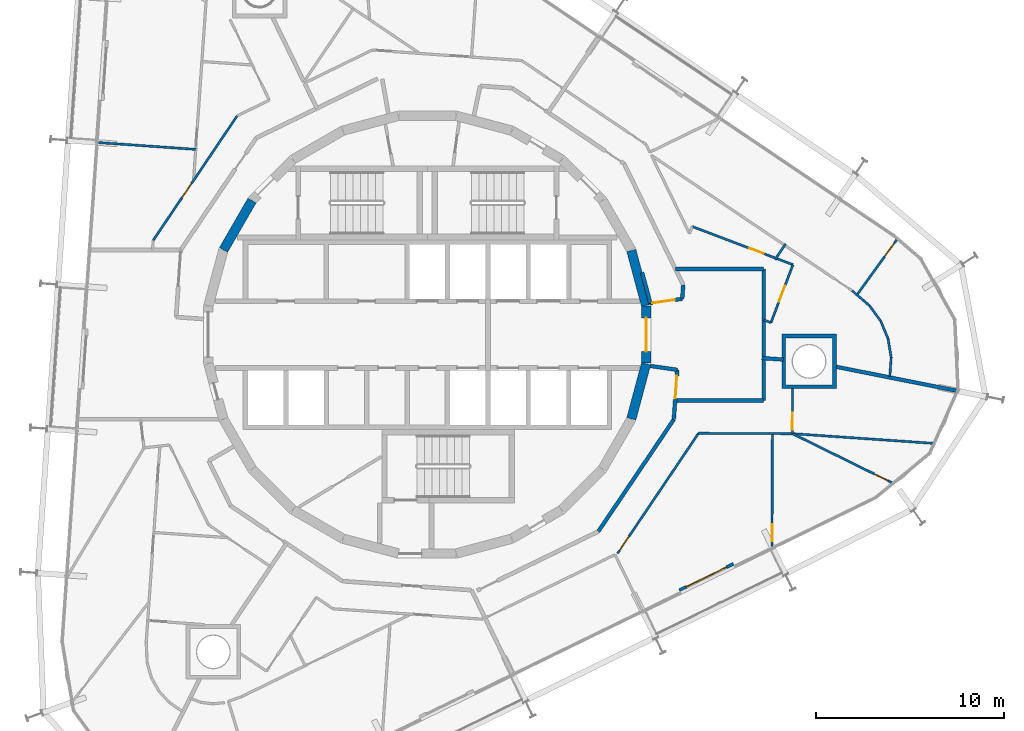
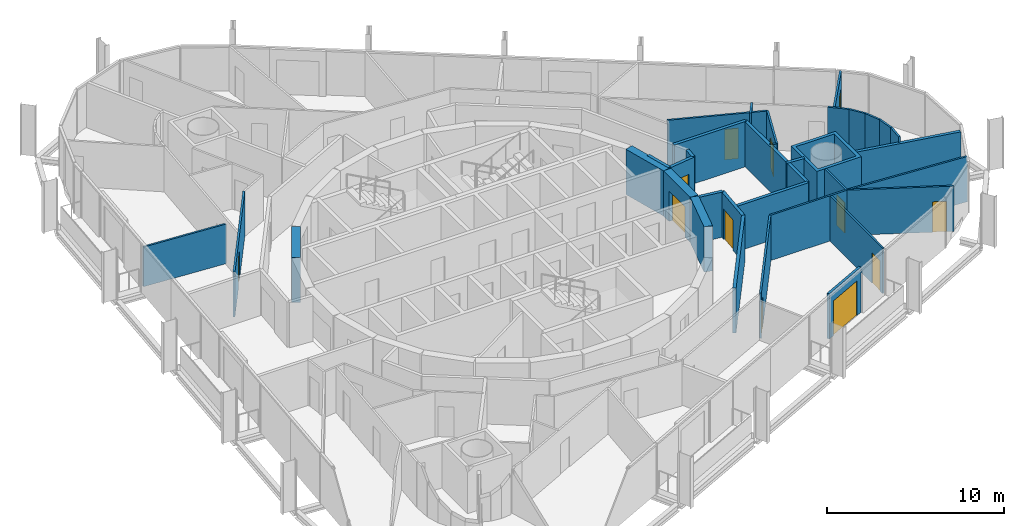
# One storey, part 14 of 18: 35 walls, 12 doors, 12 openings.
"""IFC4 building model written with IfcOpenShell, lengths in metres."""

from ifc_helpers import new_model, si_unit, direction, frame, frame_2d, origin, place, context, subcontext, project, spatial, polyline, rectangle, outline, extrude, material, layer, layer_set, type_object, element, fill, save


model = new_model("IFC4")

# Units and contexts
model_context = context("Model", 3, precision=1e-05, world=origin(), true_north=direction((0.0, 1.0)))
body_context = subcontext(model_context, "Body", "Model", "MODEL_VIEW")
ifc_project = project(units=[si_unit("LENGTHUNIT", "METRE"), si_unit("AREAUNIT", "SQUARE_METRE"), si_unit("VOLUMEUNIT", "CUBIC_METRE"), si_unit("PLANEANGLEUNIT", "RADIAN"), si_unit("MASSUNIT", "GRAM", prefix="KILO")], contexts=[model_context])

# Site, building, storey
site_placement = place(None, origin())
site = spatial("IfcSite", under=ifc_project, at=site_placement, CompositionType="ELEMENT")
building_placement = place(site_placement, origin())
building = spatial("IfcBuilding", under=site, at=building_placement, Name="Spindle Arch Residences", CompositionType="ELEMENT")
storey_placement = place(building_placement, frame((0.0, 0.0, 195.39990234375)))
storey = spatial("IfcBuildingStorey", under=building, at=storey_placement, Name="L49", CompositionType="ELEMENT", Elevation=195.39990234375)

# Wall
ifc_material_1 = material(Name="Concrete C50/60", Category="concrete")
ifc_layer_1 = layer(ifc_material_1, 0.5)
ifc_layer_set_1 = layer_set([ifc_layer_1], Name="Core outline wall 500")
wall_type_1 = type_object("IfcWallType", Name="Core outline wall 500", PredefinedType="SHEAR", material=ifc_layer_set_1)
wall_1_placement = place(storey_placement, frame((10.858154296875, -4.479248046875, 0.0), z_axis=(0.0, 0.0, 1.0), x_axis=(0.258734743916, 0.965948410781, 0.0)))
element("IfcWall", 1, at=wall_1_placement, inside=storey, type_object=wall_type_1, Name="Core outline wall 5", PredefinedType="SHEAR", context=body_context, shape_type="SweptSolid", body=[
    extrude(rectangle(XDim=3.03271484375, YDim=0.5, at=frame_2d((1.516357421875, 0.0))), origin(), (0.0, 0.0, 1.0), 3.1201171875),
])

# Wall, opening, door
wall_2_placement = place(storey_placement, frame((11.647216796875, -1.516357421875, 0.0), z_axis=(0.0, 0.0, 1.0), x_axis=(0.0, 1.0, 0.0)))
wall_2 = element("IfcWall", 2, at=wall_2_placement, inside=storey, type_object=wall_type_1, Name="Core outline wall 6", PredefinedType="SHEAR", context=body_context, shape_type="SweptSolid", body=[
    extrude(rectangle(XDim=3.03271484375, YDim=0.5, at=frame_2d((1.516357421875, 0.0))), origin(), (0.0, 0.0, 1.0), 3.1201171875),
])
opening_1_placement = place(wall_2_placement, frame((0.6162109375, 0.0, 0.0)))
opening_1 = element("IfcOpeningElement", 3, at=opening_1_placement, cuts=wall_2, Name="Opening R5A0-FE01", PredefinedType="OPENING", context=body_context, shape_type="SweptSolid", body=[
    extrude(rectangle(XDim=1.800048828125, YDim=2.10009765625, at=frame_2d((0.89990234375, 1.050048828125))), frame((0.0, 0.260009765625, 0.0), z_axis=(0.0, -1.0, 0.0), x_axis=(1.0, 0.0, 0.0)), (0.0, 0.0, 1.0), 0.52001953125),
])
ifc_material_2 = material(Name="Steel, fire-resisting door", Category="steel")
door_type_1 = type_object("IfcDoorType", Name="Fire-lift lobby door 1800x2100", OperationType="DOUBLE_DOOR_SINGLE_SWING", PredefinedType="DOOR", material=ifc_material_2)
door_1_placement = place(opening_1_placement, origin())
door_1 = element("IfcDoor", 4, at=door_1_placement, inside=storey, type_object=door_type_1, Name="Fire-lift lobby door R5A0-FE01", OperationType="DOUBLE_DOOR_SINGLE_SWING", OverallHeight=2.10009765625, OverallWidth=1.800048828125, PredefinedType="DOOR", context=body_context, shape_type="SweptSolid", body=[
    extrude(rectangle(XDim=1.800048828125, YDim=2.10009765625, at=frame_2d((0.89990234375, 1.050048828125))), frame((0.0, 0.02490234375, 0.0), z_axis=(0.0, -1.0, 0.0), x_axis=(1.0, 0.0, 0.0)), (0.0, 0.0, 1.0), 0.050048828125),
])
fill(opening_1, door_1)

# Walls
for number, where, z_axis, x_axis, name in (
    (5, (11.642822265625, 1.5498046875, 0.0), (0.0, 0.0, 1.0), (-0.258734743916, 0.965948410781, 0.0), "Core outline wall 7"),
    (6, (-9.32861328125, 7.13671875, 0.0), (0.0, 0.0, 1.0), (-0.500087131594, -0.865975092491, 0.0), "Core outline wall 16"),
):
    element("IfcWall", number, at=place(storey_placement, frame(where, z_axis=z_axis, x_axis=x_axis)), inside=storey, type_object=wall_type_1, Name=name, PredefinedType="SHEAR", context=body_context, shape_type="SweptSolid", body=[
        extrude(rectangle(XDim=3.03271484375, YDim=0.5, at=frame_2d((1.516357421875, 0.0))), origin(), (0.0, 0.0, 1.0), 3.1201171875),
    ])
ifc_material_3 = material(Name="Calcium silicate block, plastered")
ifc_layer_2 = layer(ifc_material_3, 0.199951171875)
ifc_layer_set_2 = layer_set([ifc_layer_2], Name="Corridor wall 200")
wall_type_2 = type_object("IfcWallType", Name="Corridor wall 200", PredefinedType="STANDARD", material=ifc_layer_set_2)
wall_3_placement = place(storey_placement, frame((9.101318359375, -10.469970703125, 0.0), z_axis=(0.0, 0.0, 1.0), x_axis=(0.559195469534, 0.829035841718, 0.0)))
element("IfcWall", 7, at=wall_3_placement, inside=storey, type_object=wall_type_2, Name="Corridor wall R5A0-W020", PredefinedType="STANDARD", context=body_context, shape_type="SweptSolid", body=[
    extrude(rectangle(XDim=7.18115234375, YDim=0.199951171875, at=frame_2d((3.590576171875, 0.0))), origin(), (0.0, 0.0, 1.0), 3.1201171875),
])
ifc_material_4 = material(Name="Calcium silicate block, plastered")
ifc_layer_3 = layer(ifc_material_4, 0.199951171875)
ifc_layer_set_3 = layer_set([ifc_layer_3], Name="Fire-lift lobby bay wall 200")
wall_type_3 = type_object("IfcWallType", Name="Fire-lift lobby bay wall 200", PredefinedType="STANDARD", material=ifc_layer_set_3)
wall_4_placement = place(storey_placement, frame((11.8701171875, 1.668212890625, 0.0), z_axis=(0.0, 0.0, 1.0), x_axis=(-0.258836880648, 0.965921047093, 0.0)))
element("IfcWall", 8, at=wall_4_placement, inside=storey, type_object=wall_type_3, Name="Fire-lift lobby bay wall R5A0-W001", PredefinedType="STANDARD", context=body_context, shape_type="SweptSolid", body=[
    extrude(rectangle(XDim=1.695068359375, YDim=0.199951171875, at=frame_2d((0.84765625, 0.0))), origin(), (0.0, 0.0, 1.0), 3.1201171875),
])

# Wall, opening, door
wall_5_placement = place(storey_placement, frame((11.8701171875, 1.668212890625, 0.0), z_axis=(0.0, 0.0, 1.0), x_axis=(0.990271931984, 0.139145609792, 0.0)))
wall_5 = element("IfcWall", 9, at=wall_5_placement, inside=storey, type_object=wall_type_3, Name="Fire-lift lobby bay wall R5A0-W002", PredefinedType="STANDARD", context=body_context, shape_type="SweptSolid", body=[
    extrude(rectangle(XDim=1.71240234375, YDim=0.199951171875, at=frame_2d((0.856201171875, 0.0))), origin(), (0.0, 0.0, 1.0), 3.1201171875),
])
opening_2_placement = place(wall_5_placement, frame((0.110107421875, 0.0, 0.0)))
opening_2 = element("IfcOpeningElement", 10, at=opening_2_placement, cuts=wall_5, Name="Opening R5A0-CD01", PredefinedType="OPENING", context=body_context, shape_type="SweptSolid", body=[
    extrude(rectangle(XDim=1.199951171875, YDim=2.10009765625, at=frame_2d((0.60009765625, 1.050048828125))), frame((0.0, 0.10986328125, 0.0), z_axis=(0.0, -1.0, 0.0), x_axis=(1.0, 0.0, 0.0)), (0.0, 0.0, 1.0), 0.219970703125),
])
ifc_material_5 = material(Name="Steel, fire-resisting door", Category="steel")
door_type_2 = type_object("IfcDoorType", Name="Corridor division door 1200x2100", OperationType="NOTDEFINED", PredefinedType="DOOR", material=ifc_material_5)
door_2_placement = place(opening_2_placement, origin())
door_2 = element("IfcDoor", 11, at=door_2_placement, inside=storey, type_object=door_type_2, Name="Corridor division door R5A0-CD01", OperationType="DOUBLE_DOOR_SINGLE_SWING", OverallHeight=2.10009765625, OverallWidth=1.199951171875, PredefinedType="DOOR", context=body_context, shape_type="SweptSolid", body=[
    extrude(rectangle(XDim=1.199951171875, YDim=2.10009765625, at=frame_2d((0.60009765625, 1.050048828125))), frame((0.0, 0.02490234375, 0.0), z_axis=(0.0, -1.0, 0.0), x_axis=(1.0, 0.0, 0.0)), (0.0, 0.0, 1.0), 0.050048828125),
])
fill(opening_2, door_2)

# Wall
wall_6_placement = place(storey_placement, frame((13.56591796875, 1.906494140625, 0.0), z_axis=(0.0, 0.0, 1.0), x_axis=(0.07005495793, 0.997543133338, 0.0)))
element("IfcWall", 12, at=wall_6_placement, inside=storey, type_object=wall_type_3, Name="Fire-lift lobby bay wall R5A0-W003", PredefinedType="STANDARD", context=body_context, shape_type="SweptSolid", body=[
    extrude(rectangle(XDim=0.7421875, YDim=0.199951171875, at=frame_2d((0.37109375, 0.0))), origin(), (0.0, 0.0, 1.0), 3.1201171875),
])

# Wall, opening, door
wall_7_placement = place(storey_placement, frame((13.116943359375, -4.5166015625, 0.0), z_axis=(0.0, 0.0, 1.0), x_axis=(0.069736659613, 0.997565435601, 0.0)))
wall_7 = element("IfcWall", 13, at=wall_7_placement, inside=storey, type_object=wall_type_3, Name="Fire-lift lobby bay wall R5A0-W013", PredefinedType="STANDARD", context=body_context, shape_type="SweptSolid", body=[
    extrude(rectangle(XDim=2.653564453125, YDim=0.199951171875, at=frame_2d((1.32666015625, 0.0))), origin(), (0.0, 0.0, 1.0), 3.1201171875),
])
opening_3_placement = place(wall_7_placement, frame((1.134033203125, 0.0, 0.0)))
opening_3 = element("IfcOpeningElement", 14, at=opening_3_placement, cuts=wall_7, Name="Opening R5A0-CD02", PredefinedType="OPENING", context=body_context, shape_type="SweptSolid", body=[
    extrude(rectangle(XDim=1.199951171875, YDim=2.10009765625, at=frame_2d((0.60009765625, 1.050048828125))), frame((0.0, 0.10986328125, 0.0), z_axis=(0.0, -1.0, 0.0), x_axis=(1.0, 0.0, 0.0)), (0.0, 0.0, 1.0), 0.219970703125),
])
door_3_placement = place(opening_3_placement, origin())
door_3 = element("IfcDoor", 15, at=door_3_placement, inside=storey, type_object=door_type_2, Name="Corridor division door R5A0-CD02", OperationType="DOUBLE_DOOR_SINGLE_SWING", OverallHeight=2.10009765625, OverallWidth=1.199951171875, PredefinedType="DOOR", context=body_context, shape_type="SweptSolid", body=[
    extrude(rectangle(XDim=1.199951171875, YDim=2.10009765625, at=frame_2d((0.60009765625, 1.050048828125))), frame((0.0, 0.02490234375, 0.0), z_axis=(0.0, -1.0, 0.0), x_axis=(1.0, 0.0, 0.0)), (0.0, 0.0, 1.0), 0.050048828125),
])
fill(opening_3, door_3)

# Walls
wall_8_placement = place(storey_placement, frame((13.302001953125, -1.869384765625, 0.0), z_axis=(0.0, 0.0, 1.0), x_axis=(-0.990274397042, 0.13912806533, 0.0)))
element("IfcWall", 16, at=wall_8_placement, inside=storey, type_object=wall_type_3, Name="Fire-lift lobby bay wall R5A0-W014", PredefinedType="STANDARD", context=body_context, shape_type="SweptSolid", body=[
    extrude(rectangle(XDim=1.446044921875, YDim=0.199951171875, at=frame_2d((0.72314453125, 0.0))), origin(), (0.0, 0.0, 1.0), 3.1201171875),
])
wall_9_placement = place(storey_placement, frame((17.89990234375, -3.5, 0.0), z_axis=(0.0, 0.0, 1.0), x_axis=(0.0, 1.0, 0.0)))
element("IfcWall", 17, at=wall_9_placement, inside=storey, type_object=wall_type_3, Name="Fire-lift lobby bay wall R5A0-W023", PredefinedType="STANDARD", context=body_context, shape_type="SweptSolid", body=[
    extrude(rectangle(XDim=7.0, YDim=0.199951171875, at=frame_2d((3.5, 0.0))), origin(), (0.0, 0.0, 1.0), 3.1201171875),
])
wall_10_placement = place(storey_placement, frame((17.89990234375, 3.5, 0.0), z_axis=(0.0, 0.0, 1.0), x_axis=(-1.0, 0.0, 0.0)))
element("IfcWall", 18, at=wall_10_placement, inside=storey, type_object=wall_type_3, Name="Fire-lift lobby bay wall R5A0-W024", PredefinedType="STANDARD", context=body_context, shape_type="SweptSolid", body=[
    extrude(rectangle(XDim=4.697998046875, YDim=0.199951171875, at=frame_2d((2.34912109375, 0.0))), origin(), (0.0, 0.0, 1.0), 3.1201171875),
])
wall_11_placement = place(storey_placement, frame((13.18798828125, -3.5, 0.0), z_axis=(0.0, 0.0, 1.0), x_axis=(1.0, 0.0, 0.0)))
element("IfcWall", 19, at=wall_11_placement, inside=storey, type_object=wall_type_3, Name="Fire-lift lobby bay wall R5A0-W025", PredefinedType="STANDARD", context=body_context, shape_type="SweptSolid", body=[
    extrude(rectangle(XDim=4.7119140625, YDim=0.199951171875, at=frame_2d((2.35595703125, 0.0))), origin(), (0.0, 0.0, 1.0), 3.1201171875),
])
ifc_material_6 = material(Name="Plasterboard on steel studs", Category="steel")
ifc_layer_4 = layer(ifc_material_6, 0.1201171875)
ifc_layer_set_4 = layer_set([ifc_layer_4], Name="Flat partition 120")
wall_type_4 = type_object("IfcWallType", Name="Flat partition 120", PredefinedType="PARTITIONING", material=ifc_layer_set_4)
wall_12_placement = place(storey_placement, frame((17.89990234375, 0.782958984375, 0.0), z_axis=(0.0, 0.0, 1.0), x_axis=(0.93513272442, -0.354297597677, 0.0)))
element("IfcWall", 20, at=wall_12_placement, inside=storey, type_object=wall_type_4, Name="Flat partition R5A0-W035", PredefinedType="PARTITIONING", context=body_context, shape_type="SweptSolid", body=[
    extrude(rectangle(XDim=0.412841796875, YDim=0.1201171875, at=frame_2d((0.20654296875, 0.0))), origin(), (0.0, 0.0, 1.0), 3.1201171875),
])

# Wall, opening, door
wall_13_placement = place(storey_placement, frame((18.285888671875, 0.63671875, 0.0), z_axis=(0.0, 0.0, 1.0), x_axis=(0.354672075988, 0.934990758518, 0.0)))
wall_13 = element("IfcWall", 21, at=wall_13_placement, inside=storey, type_object=wall_type_4, Name="Flat partition R5A0-W036", PredefinedType="PARTITIONING", context=body_context, shape_type="SweptSolid", body=[
    extrude(rectangle(XDim=3.300048828125, YDim=0.1201171875, at=frame_2d((1.64990234375, 0.0))), origin(), (0.0, 0.0, 1.0), 3.1201171875),
])
opening_4_placement = place(wall_13_placement, frame((1.199951171875, 0.0, 0.0)))
opening_4 = element("IfcOpeningElement", 22, at=opening_4_placement, cuts=wall_13, Name="Opening R5A0-ID01", PredefinedType="OPENING", context=body_context, shape_type="SweptSolid", body=[
    extrude(rectangle(XDim=0.89990234375, YDim=2.10009765625, at=frame_2d((0.449951171875, 1.050048828125))), frame((0.0, 0.070068359375, 0.0), z_axis=(0.0, -1.0, 0.0), x_axis=(1.0, 0.0, 0.0)), (0.0, 0.0, 1.0), 0.14013671875),
])
ifc_material_7 = material(Name="Timber door set", Category="wood")
door_type_3 = type_object("IfcDoorType", Name="Room door 900x2100", OperationType="NOTDEFINED", PredefinedType="DOOR", material=ifc_material_7)
door_4_placement = place(opening_4_placement, origin())
door_4 = element("IfcDoor", 23, at=door_4_placement, inside=storey, type_object=door_type_3, Name="Room door R5A0-ID01", OperationType="SINGLE_SWING_LEFT", OverallHeight=2.10009765625, OverallWidth=0.89990234375, PredefinedType="DOOR", context=body_context, shape_type="SweptSolid", body=[
    extrude(rectangle(XDim=0.89990234375, YDim=2.10009765625, at=frame_2d((0.449951171875, 1.050048828125))), frame((0.0, 0.02490234375, 0.0), z_axis=(0.0, -1.0, 0.0), x_axis=(1.0, 0.0, 0.0)), (0.0, 0.0, 1.0), 0.050048828125),
])
fill(opening_4, door_4)

wall_14_placement = place(storey_placement, frame((19.456298828125, 3.72216796875, 0.0), z_axis=(0.0, 0.0, 1.0), x_axis=(-0.935017484321, 0.3546016131, 0.0)))
wall_14 = element("IfcWall", 24, at=wall_14_placement, inside=storey, type_object=wall_type_4, Name="Flat partition R5A0-W037", PredefinedType="PARTITIONING", context=body_context, shape_type="SweptSolid", body=[
    extrude(rectangle(XDim=5.734375, YDim=0.1201171875, at=frame_2d((2.8671875, 0.0))), origin(), (0.0, 0.0, 1.0), 3.1201171875),
])
opening_5_placement = place(wall_14_placement, frame((1.66943359375, 0.0, 0.0)))
opening_5 = element("IfcOpeningElement", 25, at=opening_5_placement, cuts=wall_14, Name="Opening R5A0-BD01", PredefinedType="OPENING", context=body_context, shape_type="SweptSolid", body=[
    extrude(rectangle(XDim=0.800048828125, YDim=2.10009765625, at=frame_2d((0.39990234375, 1.050048828125))), frame((0.0, 0.070068359375, 0.0), z_axis=(0.0, -1.0, 0.0), x_axis=(1.0, 0.0, 0.0)), (0.0, 0.0, 1.0), 0.14013671875),
])
ifc_material_8 = material(Name="Timber door set", Category="wood")
door_type_4 = type_object("IfcDoorType", Name="Bathroom door 800x2100", OperationType="NOTDEFINED", PredefinedType="DOOR", material=ifc_material_8)
door_5_placement = place(opening_5_placement, origin())
door_5 = element("IfcDoor", 26, at=door_5_placement, inside=storey, type_object=door_type_4, Name="Bathroom door R5A0-BD01", OperationType="SINGLE_SWING_LEFT", OverallHeight=2.10009765625, OverallWidth=0.800048828125, PredefinedType="DOOR", context=body_context, shape_type="SweptSolid", body=[
    extrude(rectangle(XDim=0.800048828125, YDim=2.10009765625, at=frame_2d((0.39990234375, 1.050048828125))), frame((0.0, 0.02490234375, 0.0), z_axis=(0.0, -1.0, 0.0), x_axis=(1.0, 0.0, 0.0)), (0.0, 0.0, 1.0), 0.050048828125),
])
fill(opening_5, door_5)

# Walls
wall_15_placement = place(storey_placement, frame((22.598388671875, 2.3447265625, 0.0), z_axis=(0.0, 0.0, 1.0), x_axis=(0.758596166141, -0.651561092083, 0.0)))
element("IfcWall", 27, at=wall_15_placement, inside=storey, type_object=wall_type_4, Name="Flat partition R5A0-W042", PredefinedType="PARTITIONING", context=body_context, shape_type="SweptSolid", body=[
    extrude(rectangle(XDim=1.22705078125, YDim=0.1201171875, at=frame_2d((0.613525390625, 0.0))), origin(), (0.0, 0.0, 1.0), 3.1201171875),
])
wall_16_placement = place(storey_placement, frame((23.529296875, 1.545166015625, 0.0), z_axis=(0.0, 0.0, 1.0), x_axis=(0.587742994292, -0.809047694923, 0.0)))
element("IfcWall", 28, at=wall_16_placement, inside=storey, type_object=wall_type_4, Name="Flat partition R5A0-W043", PredefinedType="PARTITIONING", context=body_context, shape_type="SweptSolid", body=[
    extrude(rectangle(XDim=1.01611328125, YDim=0.1201171875, at=frame_2d((0.508056640625, 0.0))), origin(), (0.0, 0.0, 1.0), 3.1201171875),
])
for number, where, z_axis, x_axis, name in (
    (29, (24.12646484375, 0.72314453125, 0.0), (0.0, 0.0, 1.0), (0.385229603205, -0.922820758769, 0.0), "Flat partition R5A0-W044"),
    (30, (24.517822265625, -0.21435546875, 0.0), (0.0, 0.0, 1.0), (0.162216216616, -0.986755237669, 0.0), "Flat partition R5A0-W045"),
    (31, (24.6826171875, -1.216796875, 0.0), (0.0, 0.0, 1.0), (-0.069692812564, -0.997568499842, 0.0), "Flat partition R5A0-W046"),
):
    element("IfcWall", number, at=place(storey_placement, frame(where, z_axis=z_axis, x_axis=x_axis)), inside=storey, type_object=wall_type_4, Name=name, PredefinedType="PARTITIONING", context=body_context, shape_type="SweptSolid", body=[
        extrude(rectangle(XDim=1.015869140625, YDim=0.1201171875, at=frame_2d((0.5078125, 0.0))), origin(), (0.0, 0.0, 1.0), 3.1201171875),
    ])

# Wall, opening, door
wall_17_placement = place(storey_placement, frame((24.9775390625, 5.047119140625, 0.0), z_axis=(0.0, 0.0, 1.0), x_axis=(-0.585041443684, -0.811003396523, 0.0)))
wall_17 = element("IfcWall", 32, at=wall_17_placement, inside=storey, type_object=wall_type_4, Name="Flat partition R5A0-W047", PredefinedType="PARTITIONING", context=body_context, shape_type="SweptSolid", body=[
    extrude(rectangle(XDim=3.613037109375, YDim=0.1201171875, at=frame_2d((1.806640625, 0.0))), origin(), (0.0, 0.0, 1.0), 3.1201171875),
])
opening_6_placement = place(wall_17_placement, frame((0.199951171875, 0.0, 0.0)))
opening_6 = element("IfcOpeningElement", 33, at=opening_6_placement, cuts=wall_17, Name="Opening R5A0-ID04", PredefinedType="OPENING", context=body_context, shape_type="SweptSolid", body=[
    extrude(rectangle(XDim=0.89990234375, YDim=2.10009765625, at=frame_2d((0.449951171875, 1.050048828125))), frame((0.0, 0.070068359375, 0.0), z_axis=(0.0, -1.0, 0.0), x_axis=(1.0, 0.0, 0.0)), (0.0, 0.0, 1.0), 0.14013671875),
])
door_6_placement = place(opening_6_placement, origin())
door_6 = element("IfcDoor", 34, at=door_6_placement, inside=storey, type_object=door_type_3, Name="Room door R5A0-ID04", OperationType="SINGLE_SWING_LEFT", OverallHeight=2.10009765625, OverallWidth=0.89990234375, PredefinedType="DOOR", context=body_context, shape_type="SweptSolid", body=[
    extrude(rectangle(XDim=0.89990234375, YDim=2.10009765625, at=frame_2d((0.449951171875, 1.050048828125))), frame((0.0, 0.02490234375, 0.0), z_axis=(0.0, -1.0, 0.0), x_axis=(1.0, 0.0, 0.0)), (0.0, 0.0, 1.0), 0.050048828125),
])
fill(opening_6, door_6)

# Wall
wall_18_placement = place(storey_placement, frame((19.06689453125, 4.832275390625, 0.0), z_axis=(0.0, 0.0, 1.0), x_axis=(-0.559257363459, -0.828994090098, 0.0)))
element("IfcWall", 35, at=wall_18_placement, inside=storey, type_object=wall_type_4, Name="Flat partition R5A0-W049", PredefinedType="PARTITIONING", context=body_context, shape_type="SweptSolid", body=[
    extrude(rectangle(XDim=1.011962890625, YDim=0.1201171875, at=frame_2d((0.505859375, 0.0))), origin(), (0.0, 0.0, 1.0), 3.1201171875),
])

# Wall, opening, door
wall_19_placement = place(storey_placement, frame((-10.1201171875, 11.641845703125, 0.0), z_axis=(0.0, 0.0, 1.0), x_axis=(-0.55920080659, -0.829032241779, 0.0)))
wall_19 = element("IfcWall", 36, at=wall_19_placement, inside=storey, type_object=wall_type_4, Name="Flat partition R5A0-W060", PredefinedType="PARTITIONING", context=body_context, shape_type="SweptSolid", body=[
    extrude(rectangle(XDim=7.98486328125, YDim=0.1201171875, at=frame_2d((3.992431640625, 0.0))), origin(), (0.0, 0.0, 1.0), 3.1201171875),
])
opening_7_placement = place(wall_19_placement, frame((4.346435546875, 0.0, 0.0)))
opening_7 = element("IfcOpeningElement", 37, at=opening_7_placement, cuts=wall_19, Name="Opening R5A0-ID11", PredefinedType="OPENING", context=body_context, shape_type="SweptSolid", body=[
    extrude(rectangle(XDim=0.89990234375, YDim=2.10009765625, at=frame_2d((0.449951171875, 1.050048828125))), frame((0.0, 0.070068359375, 0.0), z_axis=(0.0, -1.0, 0.0), x_axis=(1.0, 0.0, 0.0)), (0.0, 0.0, 1.0), 0.14013671875),
])
door_7_placement = place(opening_7_placement, origin())
door_7 = element("IfcDoor", 38, at=door_7_placement, inside=storey, type_object=door_type_3, Name="Room door R5A0-ID11", OperationType="SINGLE_SWING_LEFT", OverallHeight=2.10009765625, OverallWidth=0.89990234375, PredefinedType="DOOR", context=body_context, shape_type="SweptSolid", body=[
    extrude(rectangle(XDim=0.89990234375, YDim=2.10009765625, at=frame_2d((0.449951171875, 1.050048828125))), frame((0.0, 0.02490234375, 0.0), z_axis=(0.0, -1.0, 0.0), x_axis=(1.0, 0.0, 0.0)), (0.0, 0.0, 1.0), 0.050048828125),
])
fill(opening_7, door_7)

wall_20_placement = place(storey_placement, frame((10.1201171875, -11.641845703125, 0.0), z_axis=(0.0, 0.0, 1.0), x_axis=(0.559201404667, 0.829031838362, 0.0)))
wall_20 = element("IfcWall", 39, at=wall_20_placement, inside=storey, type_object=wall_type_4, Name="Flat partition R5A0-W098", PredefinedType="PARTITIONING", context=body_context, shape_type="SweptSolid", body=[
    extrude(rectangle(XDim=7.708740234375, YDim=0.1201171875, at=frame_2d((3.8544921875, 0.0))), origin(), (0.0, 0.0, 1.0), 3.1201171875),
])
opening_8_placement = place(wall_20_placement, frame((0.199951171875, 0.0, 0.0)))
opening_8 = element("IfcOpeningElement", 40, at=opening_8_placement, cuts=wall_20, Name="Opening R5A0-ID25", PredefinedType="OPENING", context=body_context, shape_type="SweptSolid", body=[
    extrude(rectangle(XDim=0.89990234375, YDim=2.10009765625, at=frame_2d((0.449951171875, 1.050048828125))), frame((0.0, 0.070068359375, 0.0), z_axis=(0.0, -1.0, 0.0), x_axis=(1.0, 0.0, 0.0)), (0.0, 0.0, 1.0), 0.14013671875),
])
door_8_placement = place(opening_8_placement, origin())
door_8 = element("IfcDoor", 41, at=door_8_placement, inside=storey, type_object=door_type_3, Name="Room door R5A0-ID25", OperationType="SINGLE_SWING_RIGHT", OverallHeight=2.10009765625, OverallWidth=0.89990234375, PredefinedType="DOOR", context=body_context, shape_type="SweptSolid", body=[
    extrude(rectangle(XDim=0.89990234375, YDim=2.10009765625, at=frame_2d((0.449951171875, 1.050048828125))), frame((0.0, 0.02490234375, 0.0), z_axis=(0.0, -1.0, 0.0), x_axis=(1.0, 0.0, 0.0)), (0.0, 0.0, 1.0), 0.050048828125),
])
fill(opening_8, door_8)

# Wall
wall_21_placement = place(storey_placement, frame((14.430908203125, -5.2509765625, 0.0), z_axis=(0.0, 0.0, 1.0), x_axis=(0.999994153659, -0.003419451456, 0.0)))
element("IfcWall", 42, at=wall_21_placement, inside=storey, type_object=wall_type_4, Name="Flat partition R5A0-W099", PredefinedType="PARTITIONING", context=body_context, shape_type="SweptSolid", body=[
    extrude(rectangle(XDim=4.997802734375, YDim=0.1201171875, at=frame_2d((2.4990234375, 0.0))), origin(), (0.0, 0.0, 1.0), 3.1201171875),
])

# Wall, opening, door
wall_22_placement = place(storey_placement, frame((19.4287109375, -5.26806640625, 0.0), z_axis=(0.0, 0.0, 1.0), x_axis=(0.003360127656, 0.999994354755, 0.0)))
wall_22 = element("IfcWall", 43, at=wall_22_placement, inside=storey, type_object=wall_type_4, Name="Flat partition R5A0-W100", PredefinedType="PARTITIONING", context=body_context, shape_type="SweptSolid", body=[
    extrude(rectangle(XDim=2.397705078125, YDim=0.1201171875, at=frame_2d((1.19873046875, 0.0))), origin(), (0.0, 0.0, 1.0), 3.1201171875),
])
opening_9_placement = place(wall_22_placement, frame((0.199951171875, 0.0, 0.0)))
opening_9 = element("IfcOpeningElement", 44, at=opening_9_placement, cuts=wall_22, Name="Opening R5A0-ID26", PredefinedType="OPENING", context=body_context, shape_type="SweptSolid", body=[
    extrude(rectangle(XDim=0.89990234375, YDim=2.10009765625, at=frame_2d((0.449951171875, 1.050048828125))), frame((0.0, 0.070068359375, 0.0), z_axis=(0.0, -1.0, 0.0), x_axis=(1.0, 0.0, 0.0)), (0.0, 0.0, 1.0), 0.14013671875),
])
door_9_placement = place(opening_9_placement, origin())
door_9 = element("IfcDoor", 45, at=door_9_placement, inside=storey, type_object=door_type_3, Name="Room door R5A0-ID26", OperationType="SINGLE_SWING_RIGHT", OverallHeight=2.10009765625, OverallWidth=0.89990234375, PredefinedType="DOOR", context=body_context, shape_type="SweptSolid", body=[
    extrude(rectangle(XDim=0.89990234375, YDim=2.10009765625, at=frame_2d((0.449951171875, 1.050048828125))), frame((0.0, 0.02490234375, 0.0), z_axis=(0.0, -1.0, 0.0), x_axis=(1.0, 0.0, 0.0)), (0.0, 0.0, 1.0), 0.050048828125),
])
fill(opening_9, door_9)

wall_23_placement = place(storey_placement, frame((18.342529296875, -11.28173828125, 0.0), z_axis=(0.0, 0.0, 1.0), x_axis=(0.003448675073, 0.999994053302, 0.0)))
wall_23 = element("IfcWall", 46, at=wall_23_placement, inside=storey, type_object=wall_type_4, Name="Flat partition R5A0-W102", PredefinedType="PARTITIONING", context=body_context, shape_type="SweptSolid", body=[
    extrude(rectangle(XDim=6.017333984375, YDim=0.1201171875, at=frame_2d((3.0087890625, 0.0))), origin(), (0.0, 0.0, 1.0), 3.1201171875),
])
opening_10_placement = place(wall_23_placement, frame((0.300048828125, 0.0, 0.0)))
opening_10 = element("IfcOpeningElement", 47, at=opening_10_placement, cuts=wall_23, Name="Opening R5A0-ID27", PredefinedType="OPENING", context=body_context, shape_type="SweptSolid", body=[
    extrude(rectangle(XDim=0.89990234375, YDim=2.10009765625, at=frame_2d((0.449951171875, 1.050048828125))), frame((0.0, 0.070068359375, 0.0), z_axis=(0.0, -1.0, 0.0), x_axis=(1.0, 0.0, 0.0)), (0.0, 0.0, 1.0), 0.14013671875),
])
door_10_placement = place(opening_10_placement, origin())
door_10 = element("IfcDoor", 48, at=door_10_placement, inside=storey, type_object=door_type_3, Name="Room door R5A0-ID27", OperationType="SINGLE_SWING_RIGHT", OverallHeight=2.10009765625, OverallWidth=0.89990234375, PredefinedType="DOOR", context=body_context, shape_type="SweptSolid", body=[
    extrude(rectangle(XDim=0.89990234375, YDim=2.10009765625, at=frame_2d((0.449951171875, 1.050048828125))), frame((0.0, 0.02490234375, 0.0), z_axis=(0.0, -1.0, 0.0), x_axis=(1.0, 0.0, 0.0)), (0.0, 0.0, 1.0), 0.050048828125),
])
fill(opening_10, door_10)

wall_24_placement = place(storey_placement, frame((24.860595703125, -7.94287109375, 0.0), z_axis=(0.0, 0.0, 1.0), x_axis=(-0.897128390861, 0.441769906525, 0.0)))
wall_24 = element("IfcWall", 49, at=wall_24_placement, inside=storey, type_object=wall_type_4, Name="Flat partition R5A0-W103", PredefinedType="PARTITIONING", context=body_context, shape_type="SweptSolid", body=[
    extrude(rectangle(XDim=6.0546875, YDim=0.1201171875, at=frame_2d((3.02734375, 0.0))), origin(), (0.0, 0.0, 1.0), 3.1201171875),
])
opening_11_placement = place(wall_24_placement, frame((0.39990234375, 0.0, 0.0)))
opening_11 = element("IfcOpeningElement", 50, at=opening_11_placement, cuts=wall_24, Name="Opening R5A0-BD06", PredefinedType="OPENING", context=body_context, shape_type="SweptSolid", body=[
    extrude(rectangle(XDim=0.800048828125, YDim=2.10009765625, at=frame_2d((0.39990234375, 1.050048828125))), frame((0.0, 0.070068359375, 0.0), z_axis=(0.0, -1.0, 0.0), x_axis=(1.0, 0.0, 0.0)), (0.0, 0.0, 1.0), 0.14013671875),
])
door_11_placement = place(opening_11_placement, origin())
door_11 = element("IfcDoor", 51, at=door_11_placement, inside=storey, type_object=door_type_4, Name="Bathroom door R5A0-BD06", OperationType="SINGLE_SWING_RIGHT", OverallHeight=2.10009765625, OverallWidth=0.800048828125, PredefinedType="DOOR", context=body_context, shape_type="SweptSolid", body=[
    extrude(rectangle(XDim=0.800048828125, YDim=2.10009765625, at=frame_2d((0.39990234375, 1.050048828125))), frame((0.0, 0.02490234375, 0.0), z_axis=(0.0, -1.0, 0.0), x_axis=(1.0, 0.0, 0.0)), (0.0, 0.0, 1.0), 0.050048828125),
])
fill(opening_11, door_11)

# Walls
wall_25_placement = place(storey_placement, frame((26.96142578125, -5.78515625, 0.0), z_axis=(0.0, 0.0, 1.0), x_axis=(-0.997652165985, 0.068484711466, 0.0)))
element("IfcWall", 52, at=wall_25_placement, inside=storey, type_object=wall_type_4, Name="Flat partition R5A0-W104", PredefinedType="PARTITIONING", context=body_context, shape_type="SweptSolid", body=[
    extrude(rectangle(XDim=7.550537109375, YDim=0.1201171875, at=frame_2d((3.775390625, 0.0))), origin(), (0.0, 0.0, 1.0), 3.1201171875),
])
ifc_material_9 = material(Name="Plasterboard on steel studs", Category="steel")
ifc_layer_5 = layer(ifc_material_9, 0.1201171875)
ifc_layer_set_5 = layer_set([ifc_layer_5], Name="Flat partition 120 under beam 2730")
wall_type_5 = type_object("IfcWallType", Name="Flat partition 120 under beam 2730", PredefinedType="PARTITIONING", material=ifc_layer_set_5)
wall_26_placement = place(storey_placement, frame((-17.51025390625, 10.222412109375, 0.0), z_axis=(0.0, 0.0, 1.0), x_axis=(0.997563184303, -0.069768856397, 0.0)))
element("IfcWall", 53, at=wall_26_placement, inside=storey, type_object=wall_type_5, Name="Flat partition R5A0-W070", PredefinedType="PARTITIONING", context=body_context, shape_type="SweptSolid", body=[
    extrude(rectangle(XDim=5.199951171875, YDim=0.1201171875, at=frame_2d((2.60009765625, 0.0))), origin(), (0.0, 0.0, 1.0), 2.72998046875),
])
ifc_material_10 = material(Name="Calcium silicate block, plastered")
ifc_layer_6 = layer(ifc_material_10, 0.199951171875)
ifc_layer_set_6 = layer_set([ifc_layer_6], Name="Flat party wall 200")
wall_type_6 = type_object("IfcWallType", Name="Flat party wall 200", PredefinedType="STANDARD", material=ifc_layer_set_6)
wall_27_placement = place(storey_placement, frame((17.80029296875, -1.24560546875, 0.0), z_axis=(0.0, 0.0, 1.0), x_axis=(0.997562681713, -0.069776042122, 0.0)))
element("IfcWall", 54, at=wall_27_placement, inside=storey, type_object=wall_type_6, Name="Flat party wall R5A0-W028", PredefinedType="STANDARD", context=body_context, shape_type="SweptSolid", body=[
    extrude(rectangle(XDim=1.14404296875, YDim=0.199951171875, at=frame_2d((0.572021484375, 0.0))), origin(), (0.0, 0.0, 1.0), 3.1201171875),
])
ifc_material_11 = material(Name="Calcium silicate block, plastered")
ifc_layer_7 = layer(ifc_material_11, 0.199951171875)
ifc_layer_set_7 = layer_set([ifc_layer_7], Name="Flat party wall 200 under beam 2730")
wall_type_7 = type_object("IfcWallType", Name="Flat party wall 200 under beam 2730", PredefinedType="STANDARD", material=ifc_layer_set_7)
wall_28_placement = place(storey_placement, frame((21.761962890625, -1.70947265625, 0.0), z_axis=(0.0, 0.0, 1.0), x_axis=(0.980707365343, -0.195481619501, 0.0)))
element("IfcWall", 55, at=wall_28_placement, inside=storey, type_object=wall_type_7, Name="Flat party wall R5A0-W027", PredefinedType="STANDARD", context=body_context, shape_type="SweptSolid", body=[
    extrude(rectangle(XDim=6.511962890625, YDim=0.199951171875, at=frame_2d((3.255859375, 0.0))), origin(), (0.0, 0.0, 1.0), 2.72998046875),
])

# Wall, opening, door
ifc_material_12 = material(Name="Non-combustible mineral wool insulated aluminium faced external wall (K0)", Category="aluminium")
ifc_layer_8 = layer(ifc_material_12, 0.159912109375)
ifc_layer_set_8 = layer_set([ifc_layer_8], Name="Insulated external wall panel 160")
wall_type_8 = type_object("IfcWallType", Name="Insulated external wall panel 160", PredefinedType="STANDARD", material=ifc_layer_set_8)
wall_29_placement = place(storey_placement, frame((13.411865234375, -13.59765625, 0.0), z_axis=(0.0, 0.0, 1.0), x_axis=(0.898793373747, 0.438372525723, 0.0)))
wall_29 = element("IfcWall", 56, at=wall_29_placement, inside=storey, type_object=wall_type_8, Name="External wall L49 bay 1", PredefinedType="STANDARD", context=body_context, shape_type="SweptSolid", body=[
    extrude(rectangle(XDim=3.2001953125, YDim=0.159912109375, at=frame_2d((1.60009765625, 0.0))), origin(), (0.0, 0.0, 1.0), 3.1201171875),
])
opening_12_placement = place(wall_29_placement, frame((0.39990234375, 0.0, 0.0)))
opening_12 = element("IfcOpeningElement", 57, at=opening_12_placement, cuts=wall_29, Name="Opening BD01", PredefinedType="OPENING", context=body_context, shape_type="SweptSolid", body=[
    extrude(rectangle(XDim=2.39990234375, YDim=2.39990234375, at=frame_2d((1.199951171875, 1.199951171875))), frame((0.0, 0.08984375, 0.0), z_axis=(0.0, -1.0, 0.0), x_axis=(1.0, 0.0, 0.0)), (0.0, 0.0, 1.0), 0.179931640625),
])
ifc_material_13 = material(Name="Bronze aluminium frame, tinted double glazing", Category="aluminium")
door_type_5 = type_object("IfcDoorType", Name="Sliding glazed balcony door 2400x2400", OperationType="DOUBLE_DOOR_SLIDING", PredefinedType="DOOR", material=ifc_material_13)
door_12_placement = place(opening_12_placement, origin())
door_12 = element("IfcDoor", 58, at=door_12_placement, inside=storey, type_object=door_type_5, Name="Balcony door BD01", OperationType="DOUBLE_DOOR_SLIDING", OverallHeight=2.39990234375, OverallWidth=2.39990234375, PredefinedType="DOOR", context=body_context, shape_type="SweptSolid", body=[
    extrude(rectangle(XDim=2.39990234375, YDim=2.39990234375, at=frame_2d((1.199951171875, 1.199951171875))), frame((0.0, 0.02490234375, 0.0), z_axis=(0.0, -1.0, 0.0), x_axis=(1.0, 0.0, 0.0)), (0.0, 0.0, 1.0), 0.050048828125),
])
fill(opening_12, door_12)

# Wall
ifc_material_14 = material(Name="Calcium silicate block, plastered")
ifc_layer_9 = layer(ifc_material_14, 0.199951171875)
ifc_layer_set_9 = layer_set([ifc_layer_9], Name="Mega-column casing wall 200")
wall_type_9 = type_object("IfcWallType", Name="Mega-column casing wall 200", PredefinedType="STANDARD", material=ifc_layer_set_9)
wall_30_placement = place(storey_placement, origin())
element("IfcWall", 59, at=wall_30_placement, inside=storey, type_object=wall_type_9, Name="Mega-column casing wall R5A0-WC03", PredefinedType="STANDARD", context=body_context, shape_type="SweptSolid", body=[
    extrude(outline(polyline([(21.761962890625, 0.02978515625), (21.761962890625, -2.870361328125), (18.86181640625, -2.870361328125), (18.86181640625, 0.02978515625), (21.761962890625, 0.02978515625)]), holes=[polyline([(19.06201171875, -2.67041015625), (21.56201171875, -2.67041015625), (21.56201171875, -0.17041015625), (19.06201171875, -0.17041015625), (19.06201171875, -2.67041015625)])]), origin(), (0.0, 0.0, 1.0), 3.1201171875),
])

save(model, "model.ifc")
